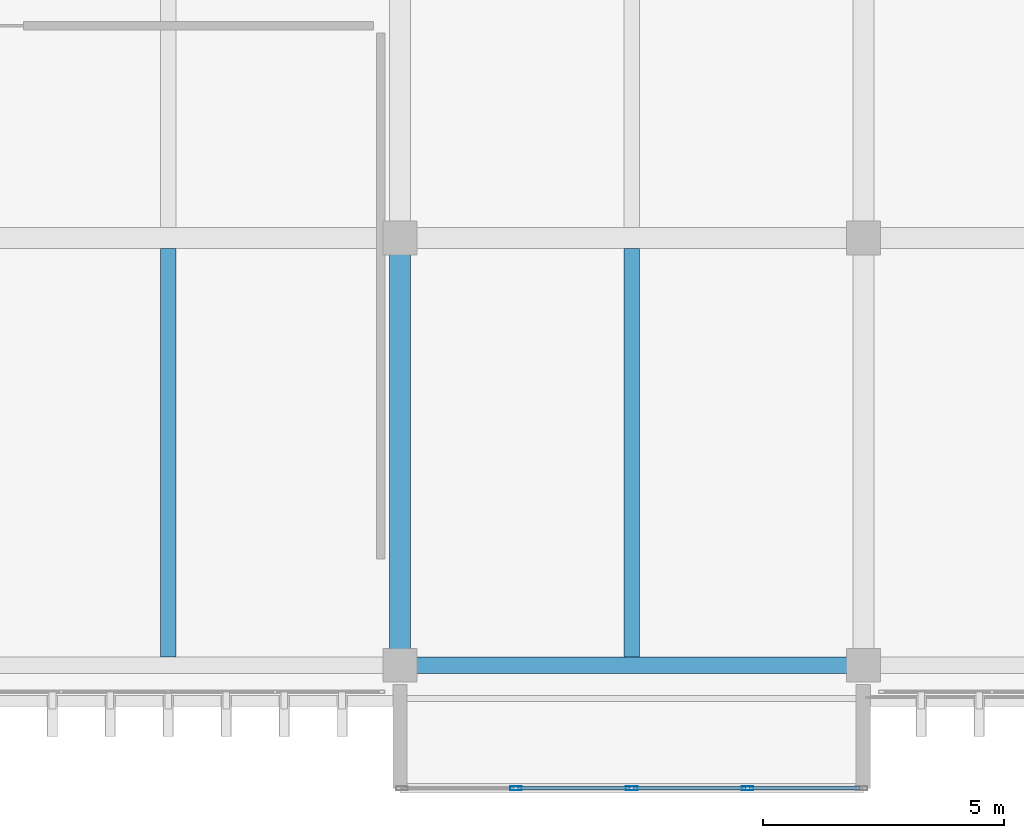
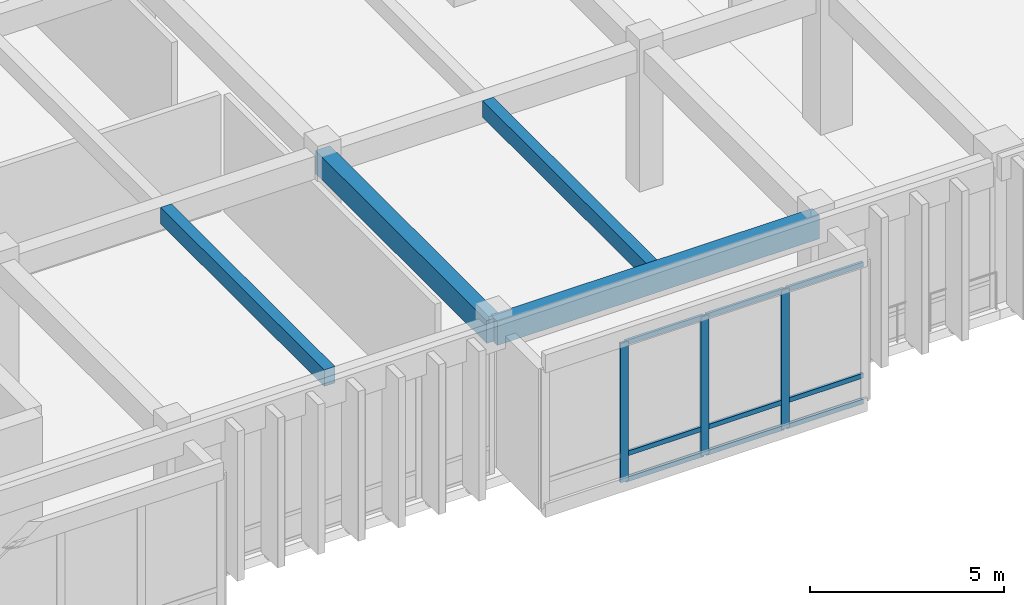
# One storey, part 53 of 133: 12 members, 4 beams, 1 element without a shape of its own.
"""IFC4 building model written with IfcOpenShell, lengths in metres."""

from ifc_helpers import new_model, si_unit, direction, frame, origin, origin_2d, place, context, subcontext, project, spatial, rectangle, hollow_rectangle, extrude, material, layer, layer_set, material_profile, profile_set, type_object, element, aggregate, save


model = new_model("IFC4")

# Units and contexts
model_context = context("Model", 3, precision=1e-05, world=origin(), true_north=direction((0.0, 1.0)))
body_context = subcontext(model_context, "Body", "Model", "MODEL_VIEW")
ifc_project = project(units=[si_unit("LENGTHUNIT", "METRE"), si_unit("AREAUNIT", "SQUARE_METRE"), si_unit("VOLUMEUNIT", "CUBIC_METRE"), si_unit("PLANEANGLEUNIT", "RADIAN"), si_unit("MASSUNIT", "GRAM", prefix="KILO")], contexts=[model_context])

# Site, building, storey
site_placement = place(None, origin())
site = spatial("IfcSite", under=ifc_project, at=site_placement, CompositionType="ELEMENT")
building_placement = place(site_placement, origin())
building = spatial("IfcBuilding", under=site, at=building_placement, Name="Nakhvara Creek Congress Hotel", CompositionType="ELEMENT")
storey_placement = place(building_placement, frame((0.0, 0.0, 11.39990234375)))
storey = spatial("IfcBuildingStorey", under=building, at=storey_placement, Name="L02", CompositionType="ELEMENT", Elevation=11.39990234375)

# Beams
ifc_material_1 = material(Name="Concrete C40/50", Category="concrete")
ifc_material_profile_1 = material_profile(ifc_material_1, rectangle(XDim=0.320068359375, YDim=0.52001953125, at=origin_2d()), Name="RC-BM 320x520", Category="LoadBearing")
ifc_profile_set_1 = profile_set([ifc_material_profile_1], Name="Concrete C40/50")
beam_type_1 = type_object("IfcBeamType", Name="BM-RC-320X520", PredefinedType="JOIST", material=ifc_profile_set_1)
for number, where, z_axis, x_axis, name in (
    (1, (129.60009765625, 0.925048828125, 4.16015625), (0.0, 1.0, 0.0), (-1.0, 0.0, 0.0), "Secondary Joist BJ2-L02-1686"),
    (2, (139.199951171875, 0.925048828125, 4.16015625), (0.0, 1.0, 0.0), (-1.0, 0.0, 0.0), "Secondary Joist BJ2-L02-1691"),
):
    element("IfcBeam", number, at=place(storey_placement, frame(where, z_axis=z_axis, x_axis=x_axis)), inside=storey, type_object=beam_type_1, Name=name, PredefinedType="JOIST", context=body_context, shape_type="SweptSolid", body=[
        extrude(rectangle(XDim=0.320068359375, YDim=0.52001953125, at=origin_2d()), origin(), (0.0, 0.0, 1.0), 8.454833984375),
    ])
ifc_material_profile_2 = material_profile(ifc_material_1, rectangle(XDim=0.43994140625, YDim=0.719970703125, at=origin_2d()), Name="RC-BM 440x720", Category="LoadBearing")
ifc_profile_set_2 = profile_set([ifc_material_profile_2], Name="Concrete C40/50")
beam_type_2 = type_object("IfcBeamType", Name="BM-RC-440X720", PredefinedType="BEAM", material=ifc_profile_set_2)
beam_1_placement = place(storey_placement, frame((134.39990234375, 0.75, 4.06005859375), z_axis=(0.0, 1.0, 0.0), x_axis=(-1.0, 0.0, 0.0)))
element("IfcBeam", 3, at=beam_1_placement, inside=storey, type_object=beam_type_2, Name="Beam B12-L02-1540", PredefinedType="BEAM", context=body_context, shape_type="SweptSolid", body=[
    extrude(rectangle(XDim=0.43994140625, YDim=0.719970703125, at=origin_2d()), origin(), (0.0, 0.0, 1.0), 8.85009765625),
])
ifc_material_profile_3 = material_profile(ifc_material_1, rectangle(XDim=0.35009765625, YDim=0.75, at=origin_2d()), Name="RC-SPANDREL 350x750", Category="LoadBearing")
ifc_profile_set_3 = profile_set([ifc_material_profile_3], Name="Concrete C40/50")
beam_type_3 = type_object("IfcBeamType", Name="BM-SPN-350X750", PredefinedType="SPANDREL", material=ifc_profile_set_3)
beam_2_placement = place(storey_placement, frame((134.39990234375, 0.75, 4.045166015625), z_axis=(1.0, 0.0, 0.0), x_axis=(0.0, 1.0, 0.0)))
element("IfcBeam", 4, at=beam_2_placement, inside=storey, type_object=beam_type_3, Name="Beam SP1-L02-1541", PredefinedType="SPANDREL", context=body_context, shape_type="SweptSolid", body=[
    extrude(rectangle(XDim=0.35009765625, YDim=0.75, at=origin_2d()), origin(), (0.0, 0.0, 1.0), 9.60009765625),
])

# Curtain wall, members
ifc_material_2 = material(Name="Bronze-anodised aluminium AW-6063-T6 and double-silver low-E glass", Category="aluminium")
ifc_layer = layer(ifc_material_2, 0.219970703125)
ifc_layer_set = layer_set([ifc_layer], Name="Bronze-anodised aluminium AW-6063-T6 and double-silver low-E glass")
curtain_wall_type = type_object("IfcCurtainWallType", Name="CW-BOX-PROJ", PredefinedType="USERDEFINED", material=ifc_layer_set)
curtain_wall_placement = place(storey_placement, origin())
curtain_wall = element("IfcCurtainWall", 5, at=curtain_wall_placement, inside=storey, type_object=curtain_wall_type, Name="Curtain Wall CW090", ObjectType="UNITISED", PredefinedType="USERDEFINED")
ifc_material_3 = material(Name="Bronze-anodised aluminium AW-6063-T6", Category="aluminium")
ifc_material_profile_4 = material_profile(ifc_material_3, hollow_rectangle(XDim=0.080078125, YDim=0.239990234375, WallThickness=0.0048828125, at=origin_2d()), Name="ALU-MULL 80x240x5", Category="LoadBearing")
ifc_profile_set_4 = profile_set([ifc_material_profile_4], Name="Bronze-anodised aluminium AW-6063-T6")
member_type_1 = type_object("IfcMemberType", Name="CW-MULL-240", PredefinedType="MULLION", material=ifc_profile_set_4)
member_1_placement = place(storey_placement, frame((141.60009765625, -1.800048828125, 0.0), z_axis=(0.0, 0.0, 1.0), x_axis=(0.0, -1.0, 0.0)))
member_1 = element("IfcMember", 6, at=member_1_placement, type_object=member_type_1, Name="CW090 mullion 2", PredefinedType="MULLION", context=body_context, shape_type="SweptSolid", body=[
    extrude(hollow_rectangle(XDim=0.080078125, YDim=0.239990234375, WallThickness=0.0048828125, at=origin_2d()), origin(), (0.0, 0.0, 1.0), 4.39013671875),
])
member_2_placement = place(storey_placement, frame((139.199951171875, -1.800048828125, 0.0), z_axis=(0.0, 0.0, 1.0), x_axis=(0.0, -1.0, 0.0)))
member_2 = element("IfcMember", 7, at=member_2_placement, type_object=member_type_1, Name="CW090 mullion 3", PredefinedType="MULLION", context=body_context, shape_type="SweptSolid", body=[
    extrude(hollow_rectangle(XDim=0.080078125, YDim=0.239990234375, WallThickness=0.0048828125, at=origin_2d()), origin(), (0.0, 0.0, 1.0), 4.39013671875),
])
member_3_placement = place(storey_placement, frame((136.800048828125, -1.800048828125, 0.0), z_axis=(0.0, 0.0, 1.0), x_axis=(0.0, -1.0, 0.0)))
member_3 = element("IfcMember", 8, at=member_3_placement, type_object=member_type_1, Name="CW090 mullion 4", PredefinedType="MULLION", context=body_context, shape_type="SweptSolid", body=[
    extrude(hollow_rectangle(XDim=0.080078125, YDim=0.239990234375, WallThickness=0.0048828125, at=origin_2d()), origin(), (0.0, 0.0, 1.0), 4.39013671875),
])
ifc_material_profile_5 = material_profile(ifc_material_3, hollow_rectangle(XDim=0.074951171875, YDim=0.14990234375, WallThickness=0.00390625, at=origin_2d()), Name="ALU-TRAN 75x150x4", Category="LoadBearing")
ifc_profile_set_5 = profile_set([ifc_material_profile_5], Name="Bronze-anodised aluminium AW-6063-T6")
member_type_2 = type_object("IfcMemberType", Name="CW-TRAN-150", PredefinedType="USERDEFINED", material=ifc_profile_set_5)
member_4_placement = place(storey_placement, frame((143.919921875, -1.800048828125, 0.03759765625), z_axis=(-1.0, 0.0, 0.0), x_axis=(0.0, -1.0, 0.0)))
member_4 = element("IfcMember", 9, at=member_4_placement, type_object=member_type_2, Name="CW090 transom 1.1", ObjectType="TRANSOM", PredefinedType="USERDEFINED", context=body_context, shape_type="SweptSolid", body=[
    extrude(hollow_rectangle(XDim=0.074951171875, YDim=0.14990234375, WallThickness=0.00390625, at=origin_2d()), origin(), (0.0, 0.0, 1.0), 2.280029296875),
])
member_5_placement = place(storey_placement, frame((143.919921875, -1.800048828125, 0.85009765625), z_axis=(-1.0, 0.0, 0.0), x_axis=(0.0, -1.0, 0.0)))
member_5 = element("IfcMember", 10, at=member_5_placement, type_object=member_type_2, Name="CW090 transom 1.2", ObjectType="TRANSOM", PredefinedType="USERDEFINED", context=body_context, shape_type="SweptSolid", body=[
    extrude(hollow_rectangle(XDim=0.074951171875, YDim=0.14990234375, WallThickness=0.00390625, at=origin_2d()), origin(), (0.0, 0.0, 1.0), 2.280029296875),
])
member_6_placement = place(storey_placement, frame((143.919921875, -1.800048828125, 4.3525390625), z_axis=(-1.0, 0.0, 0.0), x_axis=(0.0, -1.0, 0.0)))
member_6 = element("IfcMember", 11, at=member_6_placement, type_object=member_type_2, Name="CW090 transom 1.3", ObjectType="TRANSOM", PredefinedType="USERDEFINED", context=body_context, shape_type="SweptSolid", body=[
    extrude(hollow_rectangle(XDim=0.074951171875, YDim=0.14990234375, WallThickness=0.00390625, at=origin_2d()), origin(), (0.0, 0.0, 1.0), 2.280029296875),
])
member_7_placement = place(storey_placement, frame((141.56005859375, -1.800048828125, 0.03759765625), z_axis=(-1.0, 0.0, 0.0), x_axis=(0.0, -1.0, 0.0)))
member_7 = element("IfcMember", 12, at=member_7_placement, type_object=member_type_2, Name="CW090 transom 2.1", ObjectType="TRANSOM", PredefinedType="USERDEFINED", context=body_context, shape_type="SweptSolid", body=[
    extrude(hollow_rectangle(XDim=0.074951171875, YDim=0.14990234375, WallThickness=0.00390625, at=origin_2d()), origin(), (0.0, 0.0, 1.0), 2.320068359375),
])
member_8_placement = place(storey_placement, frame((141.56005859375, -1.800048828125, 0.85009765625), z_axis=(-1.0, 0.0, 0.0), x_axis=(0.0, -1.0, 0.0)))
member_8 = element("IfcMember", 13, at=member_8_placement, type_object=member_type_2, Name="CW090 transom 2.2", ObjectType="TRANSOM", PredefinedType="USERDEFINED", context=body_context, shape_type="SweptSolid", body=[
    extrude(hollow_rectangle(XDim=0.074951171875, YDim=0.14990234375, WallThickness=0.00390625, at=origin_2d()), origin(), (0.0, 0.0, 1.0), 2.320068359375),
])
member_9_placement = place(storey_placement, frame((141.56005859375, -1.800048828125, 4.3525390625), z_axis=(-1.0, 0.0, 0.0), x_axis=(0.0, -1.0, 0.0)))
member_9 = element("IfcMember", 14, at=member_9_placement, type_object=member_type_2, Name="CW090 transom 2.3", ObjectType="TRANSOM", PredefinedType="USERDEFINED", context=body_context, shape_type="SweptSolid", body=[
    extrude(hollow_rectangle(XDim=0.074951171875, YDim=0.14990234375, WallThickness=0.00390625, at=origin_2d()), origin(), (0.0, 0.0, 1.0), 2.320068359375),
])
member_10_placement = place(storey_placement, frame((139.159912109375, -1.800048828125, 0.03759765625), z_axis=(-1.0, 0.0, 0.0), x_axis=(0.0, -1.0, 0.0)))
member_10 = element("IfcMember", 15, at=member_10_placement, type_object=member_type_2, Name="CW090 transom 3.1", ObjectType="TRANSOM", PredefinedType="USERDEFINED", context=body_context, shape_type="SweptSolid", body=[
    extrude(hollow_rectangle(XDim=0.074951171875, YDim=0.14990234375, WallThickness=0.00390625, at=origin_2d()), origin(), (0.0, 0.0, 1.0), 2.31982421875),
])
member_11_placement = place(storey_placement, frame((139.159912109375, -1.800048828125, 0.85009765625), z_axis=(-1.0, 0.0, 0.0), x_axis=(0.0, -1.0, 0.0)))
member_11 = element("IfcMember", 16, at=member_11_placement, type_object=member_type_2, Name="CW090 transom 3.2", ObjectType="TRANSOM", PredefinedType="USERDEFINED", context=body_context, shape_type="SweptSolid", body=[
    extrude(hollow_rectangle(XDim=0.074951171875, YDim=0.14990234375, WallThickness=0.00390625, at=origin_2d()), origin(), (0.0, 0.0, 1.0), 2.31982421875),
])
member_12_placement = place(storey_placement, frame((139.159912109375, -1.800048828125, 4.3525390625), z_axis=(-1.0, 0.0, 0.0), x_axis=(0.0, -1.0, 0.0)))
member_12 = element("IfcMember", 17, at=member_12_placement, type_object=member_type_2, Name="CW090 transom 3.3", ObjectType="TRANSOM", PredefinedType="USERDEFINED", context=body_context, shape_type="SweptSolid", body=[
    extrude(hollow_rectangle(XDim=0.074951171875, YDim=0.14990234375, WallThickness=0.00390625, at=origin_2d()), origin(), (0.0, 0.0, 1.0), 2.31982421875),
])
aggregate(curtain_wall, [member_1, member_2, member_3, member_4, member_5, member_6, member_7, member_8, member_9, member_10, member_11, member_12])

save(model, "model.ifc")
